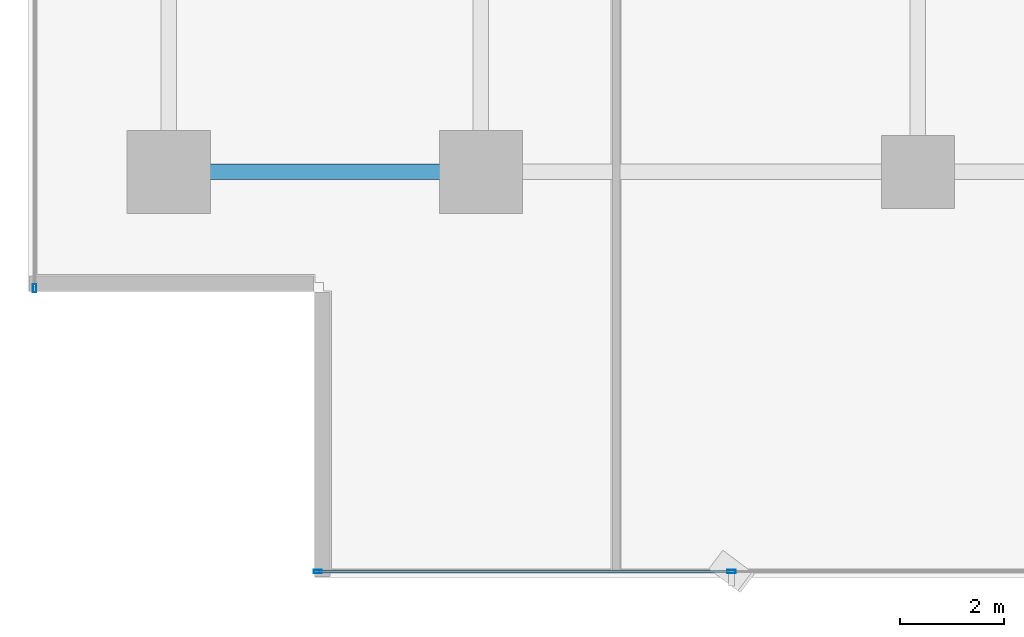
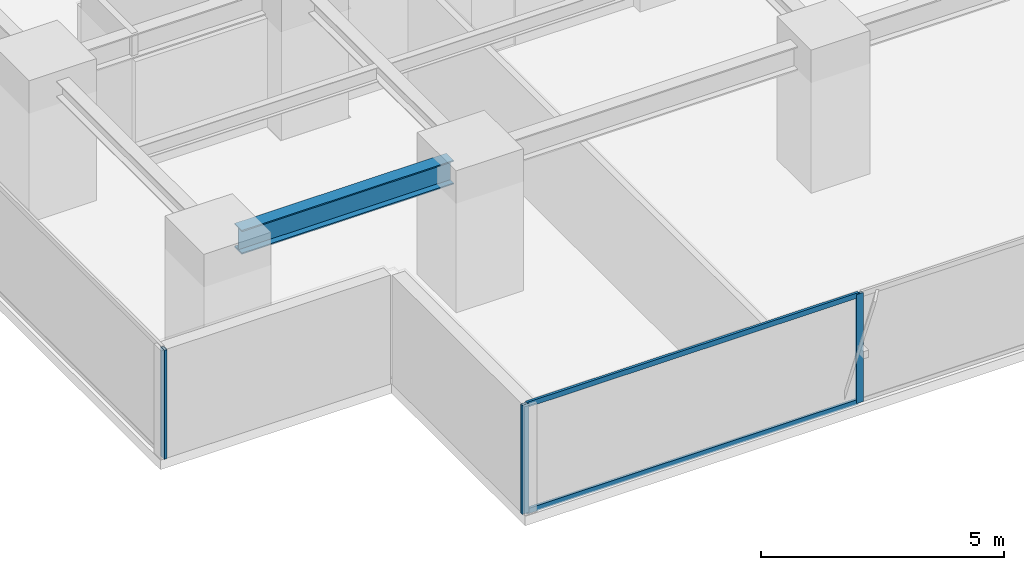
# One storey, part 2 of 34: 5 members, 1 beam, 2 elements without a shape of their own.
"""IFC4 building model written with IfcOpenShell, lengths in metres."""

from ifc_helpers import new_model, si_unit, direction, frame, origin, origin_2d, place, context, subcontext, project, spatial, hollow_rectangle, i_section, extrude, source, transform, mapped, material, layer, layer_set, material_profile, profile_set, type_object, element, aggregate, save


model = new_model("IFC4")

# Units and contexts
model_context = context("Model", 3, precision=1e-05, world=origin(), true_north=direction((0.0, 1.0)))
body_context = subcontext(model_context, "Body", "Model", "MODEL_VIEW")
ifc_project = project(units=[si_unit("LENGTHUNIT", "METRE"), si_unit("AREAUNIT", "SQUARE_METRE"), si_unit("VOLUMEUNIT", "CUBIC_METRE"), si_unit("PLANEANGLEUNIT", "RADIAN"), si_unit("MASSUNIT", "GRAM", prefix="KILO")], contexts=[model_context])

# Site, building, storey
site_placement = place(None, origin())
site = spatial("IfcSite", under=ifc_project, at=site_placement, CompositionType="ELEMENT")
building_placement = place(site_placement, origin())
building = spatial("IfcBuilding", under=site, at=building_placement, Name="Sumidabori Civic Tower", CompositionType="ELEMENT")
storey_placement = place(building_placement, frame((0.0, 0.0, 99.199951171875)))
storey = spatial("IfcBuildingStorey", under=building, at=storey_placement, Name="L25", CompositionType="ELEMENT", Elevation=99.199951171875)

# Beam
ifc_material_1 = material(Name="Steel SN490", Category="steel")
ifc_material_profile_1 = material_profile(ifc_material_1, i_section(OverallWidth=0.300048828125, OverallDepth=0.60009765625, WebThickness=0.015380859375, FlangeThickness=0.030029296875, at=origin_2d()), Name="HE 600 B")
ifc_profile_set_1 = profile_set([ifc_material_profile_1], Name="Steel SN490")
beam_type = type_object("IfcBeamType", Name="BM-GIRD-600", PredefinedType="BEAM", material=ifc_profile_set_1)
shared_shape_1 = source(origin(), body_context, "Body", "SweptSolid", [
    extrude(i_section(OverallWidth=0.300048828125, OverallDepth=0.60009765625, WebThickness=0.015380859375, FlangeThickness=0.030029296875, at=origin_2d()), origin(), (0.0, 0.0, 1.0), 5.0400390625),
])
beam_placement = place(storey_placement, frame((-22.320068359375, -18.0, 3.06005859375), z_axis=(1.0, 0.0, 0.0), x_axis=(0.0, 1.0, 0.0)))
element("IfcBeam", 1, at=beam_placement, inside=storey, type_object=beam_type, Name="Primary Girder L25 GX-01", PredefinedType="BEAM", context=body_context, shape_type="MappedRepresentation", body=[
    mapped(shared_shape_1, transform((0.0, 0.0, 0.0), x_axis=(1.0, 0.0, 0.0), y_axis=(0.0, 1.0, 0.0), z_axis=(0.0, 0.0, 1.0), scale=1.0)),
])

# Curtain wall, members
ifc_material_2 = material(Name="Anodised Bronze Aluminium AW-6063-T6", Category="aluminium")
ifc_layer = layer(ifc_material_2, 0.179931640625, Name="Anodised Bronze Aluminium AW-6063-T6")
ifc_layer_set = layer_set([ifc_layer], Name="Anodised Bronze Aluminium AW-6063-T6")
curtain_wall_type = type_object("IfcCurtainWallType", Name="CW-SYS-3", PredefinedType="NOTDEFINED", material=ifc_layer_set)
curtain_wall_1_placement = place(storey_placement, origin())
curtain_wall_1 = element("IfcCurtainWall", 2, at=curtain_wall_1_placement, inside=storey, type_object=curtain_wall_type, Name="Curtain Wall CW:L25:R01", PredefinedType="NOTDEFINED")
ifc_material_profile_2 = material_profile(ifc_material_2, hollow_rectangle(XDim=0.06494140625, YDim=0.159912109375, WallThickness=0.0048828125, at=origin_2d()), Name="ALU MULLION 160x65")
ifc_profile_set_2 = profile_set([ifc_material_profile_2], Name="Anodised Bronze Aluminium AW-6063-T6")
member_type_1 = type_object("IfcMemberType", Name="CW-MUL-160", PredefinedType="MULLION", material=ifc_profile_set_2)
shared_shape_2 = source(origin(), body_context, "Body", "SweptSolid", [
    extrude(hollow_rectangle(XDim=0.06494140625, YDim=0.159912109375, WallThickness=0.0048828125, at=origin_2d()), origin(), (0.0, 0.0, 1.0), 2.739990234375),
])
member_1_placement = place(storey_placement, frame((-19.9375, -25.679931640625, 0.0), z_axis=(0.0, 0.0, 1.0), x_axis=(0.0, 1.0, 0.0)))
member_1 = element("IfcMember", 3, at=member_1_placement, type_object=member_type_1, Name="CW-3 mullion 1", PredefinedType="MULLION", context=body_context, shape_type="MappedRepresentation", body=[
    mapped(shared_shape_2, transform((0.0, 0.0, 0.0), x_axis=(1.0, 0.0, 0.0), y_axis=(0.0, 1.0, 0.0), z_axis=(0.0, 0.0, 1.0), scale=1.0)),
])
member_2_placement = place(storey_placement, frame((-11.98193359375, -25.679931640625, 0.0), z_axis=(0.0, 0.0, 1.0), x_axis=(0.0, 1.0, 0.0)))
member_2 = element("IfcMember", 4, at=member_2_placement, type_object=member_type_1, Name="CW-3 mullion 2", PredefinedType="MULLION", context=body_context, shape_type="MappedRepresentation", body=[
    mapped(shared_shape_2, transform((0.0, 0.0, 0.0), x_axis=(1.0, 0.0, 0.0), y_axis=(0.0, 1.0, 0.0), z_axis=(0.0, 0.0, 1.0), scale=1.0)),
])

# Curtain wall, member
curtain_wall_2_placement = place(storey_placement, origin())
curtain_wall_2 = element("IfcCurtainWall", 5, at=curtain_wall_2_placement, inside=storey, type_object=curtain_wall_type, Name="Curtain Wall CW:L25:R10", PredefinedType="NOTDEFINED")
member_3_placement = place(storey_placement, frame((-25.3798828125, -20.237548828125, 0.0), z_axis=(0.0, 0.0, 1.0), x_axis=(1.0, 0.0, 0.0)))
member_3 = element("IfcMember", 6, at=member_3_placement, type_object=member_type_1, Name="CW-3 mullion 6", PredefinedType="MULLION", context=body_context, shape_type="MappedRepresentation", body=[
    mapped(shared_shape_2, transform((0.0, 0.0, 0.0), x_axis=(1.0, 0.0, 0.0), y_axis=(0.0, 1.0, 0.0), z_axis=(0.0, 0.0, 1.0), scale=1.0)),
])
aggregate(curtain_wall_2, [member_3])

# Member
ifc_material_profile_3 = material_profile(ifc_material_2, hollow_rectangle(XDim=0.06005859375, YDim=0.1298828125, WallThickness=0.0048828125, at=origin_2d()), Name="ALU TRANSOM 130x60")
ifc_profile_set_3 = profile_set([ifc_material_profile_3], Name="Anodised Bronze Aluminium AW-6063-T6")
member_type_2 = type_object("IfcMemberType", Name="CW-TRN-130", PredefinedType="USERDEFINED", material=ifc_profile_set_3)
shared_shape_3 = source(origin(), body_context, "Body", "SweptSolid", [
    extrude(hollow_rectangle(XDim=0.06005859375, YDim=0.1298828125, WallThickness=0.0048828125, at=origin_2d()), origin(), (0.0, 0.0, 1.0), 7.890625),
])
member_4_placement = place(storey_placement, frame((-19.905029296875, -25.679931640625, 0.030029296875), z_axis=(1.0, 0.0, 0.0), x_axis=(0.0, 1.0, 0.0)))
member_4 = element("IfcMember", 7, at=member_4_placement, type_object=member_type_2, Name="CW-3 transom 1.1", ObjectType="TRANSOM", PredefinedType="USERDEFINED", context=body_context, shape_type="MappedRepresentation", body=[
    mapped(shared_shape_3, transform((0.0, 0.0, 0.0), x_axis=(1.0, 0.0, 0.0), y_axis=(0.0, 1.0, 0.0), z_axis=(0.0, 0.0, 1.0), scale=1.0)),
])

member_5_placement = place(storey_placement, frame((-19.905029296875, -25.679931640625, 2.7099609375), z_axis=(1.0, 0.0, 0.0), x_axis=(0.0, 1.0, 0.0)))
member_5 = element("IfcMember", 8, at=member_5_placement, type_object=member_type_2, Name="CW-3 transom 1.2", ObjectType="TRANSOM", PredefinedType="USERDEFINED", context=body_context, shape_type="MappedRepresentation", body=[
    mapped(shared_shape_3, transform((0.0, 0.0, 0.0), x_axis=(1.0, 0.0, 0.0), y_axis=(0.0, 1.0, 0.0), z_axis=(0.0, 0.0, 1.0), scale=1.0)),
])

aggregate(curtain_wall_1, [member_1, member_2, member_4, member_5])

save(model, "model.ifc")
